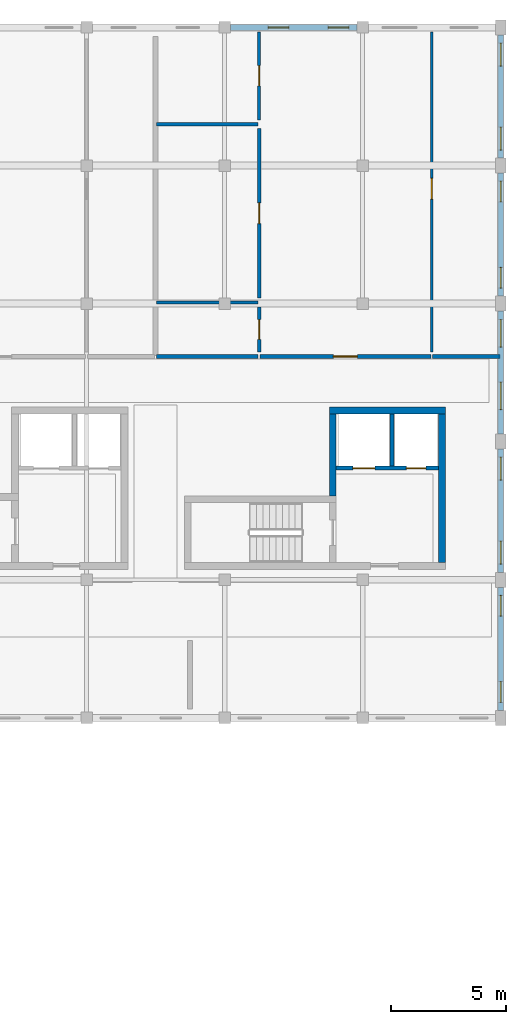
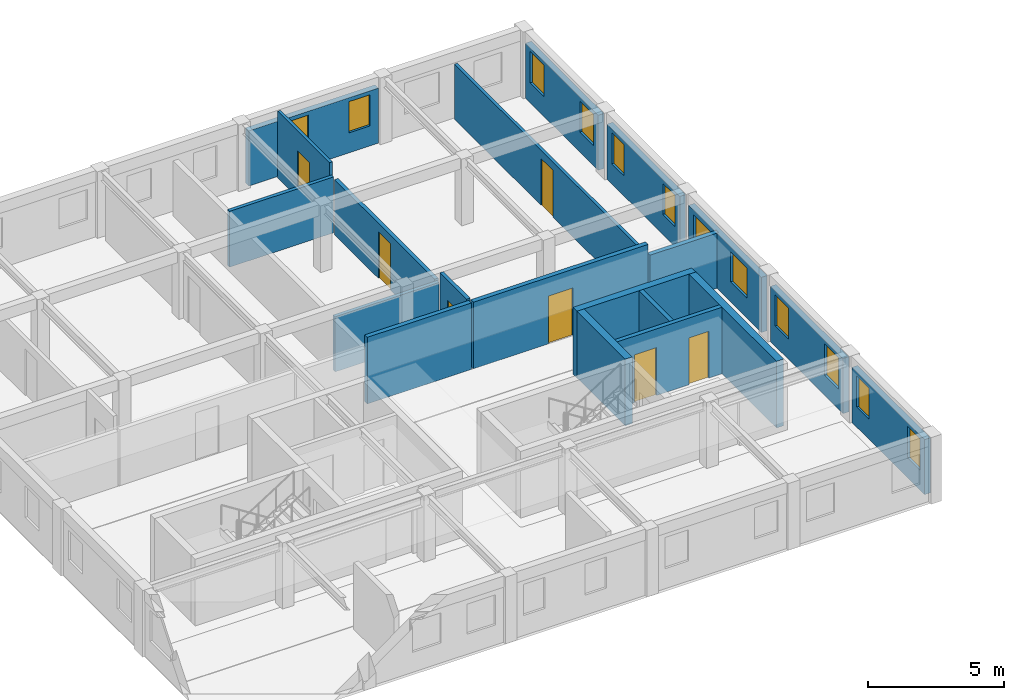
# One storey, part 9 of 13: 20 walls, 12 windows, 7 doors, 19 openings.
"""IFC4 building model written with IfcOpenShell, lengths in metres."""

from ifc_helpers import new_model, si_unit, direction, frame, frame_2d, origin, place, context, subcontext, project, spatial, rectangle, extrude, material, layer, layer_set, type_object, element, fill, save


model = new_model("IFC4")

# Units and contexts
model_context = context("Model", 3, precision=1e-05, world=origin(), true_north=direction((0.0, 1.0)))
body_context = subcontext(model_context, "Body", "Model", "MODEL_VIEW")
ifc_project = project(units=[si_unit("LENGTHUNIT", "METRE"), si_unit("AREAUNIT", "SQUARE_METRE"), si_unit("VOLUMEUNIT", "CUBIC_METRE"), si_unit("PLANEANGLEUNIT", "RADIAN"), si_unit("MASSUNIT", "GRAM", prefix="KILO"), si_unit("POWERUNIT", "WATT"), si_unit("THERMODYNAMICTEMPERATUREUNIT", "KELVIN")], contexts=[model_context])

# Site, building, storey
site_placement = place(None, origin())
site = spatial("IfcSite", under=ifc_project, at=site_placement, CompositionType="ELEMENT")
building_placement = place(site_placement, origin())
building = spatial("IfcBuilding", under=site, at=building_placement, Name="Ruvembo Vaulted Housing Court", CompositionType="ELEMENT")
storey_placement = place(building_placement, frame((0.0, 0.0, 33.300048828125)))
storey = spatial("IfcBuildingStorey", under=building, at=storey_placement, Name="L10", CompositionType="ELEMENT", Elevation=33.300048828125)

# Walls
ifc_material_1 = material(Name="Concrete C35/45", Category="concrete")
ifc_layer_1 = layer(ifc_material_1, 0.300048828125, Name="Concrete C35/45")
ifc_layer_set_1 = layer_set([ifc_layer_1], Name="Concrete C35/45")
wall_type_1 = type_object("IfcWallType", Name="WL-CORE-300", PredefinedType="SHEAR", material=ifc_layer_set_1)
wall_1_placement = place(storey_placement, frame((75.60009765625, 97.35009765625, 0.0), z_axis=(0.0, 0.0, 1.0), x_axis=(-1.0, 0.0, 0.0)))
element("IfcWall", 1, at=wall_1_placement, inside=storey, type_object=wall_type_1, Name="Core B2 L10 North Shear Wall", PredefinedType="SHEAR", context=body_context, shape_type="SweptSolid", body=[
    extrude(rectangle(XDim=5.050048828125, YDim=0.300048828125, at=frame_2d((2.52490234375, 0.0))), origin(), (0.0, 0.0, 1.0), 2.989990234375),
])
wall_2_placement = place(storey_placement, frame((75.449951171875, 90.75, 0.0), z_axis=(0.0, 0.0, 1.0), x_axis=(0.0, 1.0, 0.0)))
element("IfcWall", 2, at=wall_2_placement, inside=storey, type_object=wall_type_1, Name="Core B2 L10 East Shear Wall", PredefinedType="SHEAR", context=body_context, shape_type="SweptSolid", body=[
    extrude(rectangle(XDim=6.449951171875, YDim=0.300048828125, at=frame_2d((3.22509765625, 0.0))), origin(), (0.0, 0.0, 1.0), 2.989990234375),
])
wall_3_placement = place(storey_placement, frame((70.699951171875, 93.64990234375, 0.0), z_axis=(0.0, 0.0, 1.0), x_axis=(0.0, 1.0, 0.0)))
element("IfcWall", 3, at=wall_3_placement, inside=storey, type_object=wall_type_1, Name="Core B2 L10 Upper West Shear Wall", PredefinedType="SHEAR", context=body_context, shape_type="SweptSolid", body=[
    extrude(rectangle(XDim=3.550048828125, YDim=0.300048828125, at=frame_2d((1.77490234375, 0.0))), origin(), (0.0, 0.0, 1.0), 2.989990234375),
])
ifc_material_2 = material(Name="Concrete Blockwork 190", Category="masonry")
ifc_layer_2 = layer(ifc_material_2, 0.18994140625, Name="Concrete Blockwork 190")
ifc_layer_set_2 = layer_set([ifc_layer_2], Name="Concrete Blockwork 190")
wall_type_2 = type_object("IfcWallType", Name="WL-CORR-190", PredefinedType="SOLIDWALL", material=ifc_layer_set_2)
wall_4_placement = place(storey_placement, frame((63.0400390625, 99.699951171875, 0.0), z_axis=(0.0, 0.0, 1.0), x_axis=(1.0, 0.0, 0.0)))
element("IfcWall", 4, at=wall_4_placement, inside=storey, type_object=wall_type_2, Name="L10 Flat B-L10-N2 Corridor Wall WL-INT-L10-02255", PredefinedType="SOLIDWALL", context=body_context, shape_type="SweptSolid", body=[
    extrude(rectangle(XDim=4.419921875, YDim=0.18994140625, at=frame_2d((2.2099609375, 0.0))), origin(), (0.0, 0.0, 1.0), 2.989990234375),
])

# Wall, opening, door
wall_5_placement = place(storey_placement, frame((67.5400390625, 99.699951171875, 0.0), z_axis=(0.0, 0.0, 1.0), x_axis=(1.0, 0.0, 0.0)))
wall_5 = element("IfcWall", 5, at=wall_5_placement, inside=storey, type_object=wall_type_2, Name="L10 Flat B-L10-N2 Entrance WL-INT-L10-02256", PredefinedType="SOLIDWALL", context=body_context, shape_type="SweptSolid", body=[
    extrude(rectangle(XDim=7.419921875, YDim=0.18994140625, at=frame_2d((3.7099609375, 0.0))), origin(), (0.0, 0.0, 1.0), 2.989990234375),
])
opening_1_placement = place(wall_5_placement, frame((3.18505859375, 0.0, 0.0)))
opening_1 = element("IfcOpeningElement", 6, at=opening_1_placement, cuts=wall_5, Name="Opening FD3", PredefinedType="OPENING", context=body_context, shape_type="SweptSolid", body=[
    extrude(rectangle(XDim=1.050048828125, YDim=2.14990234375, at=frame_2d((0.52490234375, 1.074951171875))), frame((0.0, 0.10498046875, 0.0), z_axis=(0.0, -1.0, 0.0), x_axis=(1.0, 0.0, 0.0)), (0.0, 0.0, 1.0), 0.2099609375),
])
ifc_material_3 = material(Name="FSC Hardwood and Engineered Timber", Category="wood")
door_type_1 = type_object("IfcDoorType", Name="DR-FLAT-1050x2150", OperationType="NOTDEFINED", PredefinedType="DOOR", material=ifc_material_3)
door_1_placement = place(opening_1_placement, origin())
door_1 = element("IfcDoor", 7, at=door_1_placement, inside=storey, type_object=door_type_1, Name="L10 Flat B-L10-N2 Entrance Door DR-INT-L10-01250", OperationType="SINGLE_SWING_RIGHT", OverallHeight=2.14990234375, OverallWidth=1.050048828125, PredefinedType="DOOR", context=body_context, shape_type="SweptSolid", body=[
    extrude(rectangle(XDim=1.050048828125, YDim=2.14990234375, at=frame_2d((0.52490234375, 1.074951171875))), frame((0.0, 0.02490234375, 0.0), z_axis=(0.0, -1.0, 0.0), x_axis=(1.0, 0.0, 0.0)), (0.0, 0.0, 1.0), 0.050048828125),
])
fill(opening_1, door_1)

# Wall
wall_6_placement = place(storey_placement, frame((75.0400390625, 99.699951171875, 0.0), z_axis=(0.0, 0.0, 1.0), x_axis=(1.0, 0.0, 0.0)))
element("IfcWall", 8, at=wall_6_placement, inside=storey, type_object=wall_type_2, Name="L10 Flat B-L10-N2 Corridor Wall 2 WL-INT-L10-02262", PredefinedType="SOLIDWALL", context=body_context, shape_type="SweptSolid", body=[
    extrude(rectangle(XDim=2.919921875, YDim=0.18994140625, at=frame_2d((1.4599609375, 0.0))), origin(), (0.0, 0.0, 1.0), 2.471923828125),
])

# Wall, openings, windows
ifc_material_4 = material(Name="Rendered Masonry 245", Category="masonry")
ifc_layer_3 = layer(ifc_material_4, 0.2451171875, Name="Rendered Masonry 245")
ifc_layer_set_3 = layer_set([ifc_layer_3], Name="Rendered Masonry 245")
wall_type_3 = type_object("IfcWallType", Name="WL-EXT-245", PredefinedType="STANDARD", material=ifc_layer_set_3)
wall_7_placement = place(storey_placement, frame((78.0, 84.324951171875, 0.0), z_axis=(0.0, 0.0, 1.0), x_axis=(0.0, 1.0, 0.0)))
wall_7 = element("IfcWall", 9, at=wall_7_placement, inside=storey, type_object=wall_type_3, Name="Block B L10 Exterior Wall EAST #1", PredefinedType="STANDARD", context=body_context, shape_type="SweptSolid", body=[
    extrude(rectangle(XDim=5.35009765625, YDim=0.2451171875, at=frame_2d((2.675048828125, 0.0))), origin(), (0.0, 0.0, 1.0), 2.471923828125),
])
opening_2_placement = place(wall_7_placement, frame((0.35009765625, 0.0, 0.89990234375)))
opening_2 = element("IfcOpeningElement", 10, at=opening_2_placement, cuts=wall_7, Name="Opening W05", PredefinedType="OPENING", context=body_context, shape_type="SweptSolid", body=[
    extrude(rectangle(XDim=0.89990234375, YDim=1.39990234375, at=frame_2d((0.449951171875, 0.699951171875))), frame((0.0, 0.132568359375, 0.0), z_axis=(0.0, -1.0, 0.0), x_axis=(1.0, 0.0, 0.0)), (0.0, 0.0, 1.0), 0.26513671875),
])
opening_3_placement = place(wall_7_placement, frame((4.10009765625, 0.0, 0.89990234375)))
opening_3 = element("IfcOpeningElement", 11, at=opening_3_placement, cuts=wall_7, Name="Opening W05", PredefinedType="OPENING", context=body_context, shape_type="SweptSolid", body=[
    extrude(rectangle(XDim=0.89990234375, YDim=1.39990234375, at=frame_2d((0.449951171875, 0.699951171875))), frame((0.0, 0.132568359375, 0.0), z_axis=(0.0, -1.0, 0.0), x_axis=(1.0, 0.0, 0.0)), (0.0, 0.0, 1.0), 0.26513671875),
])
ifc_material_5 = material(Name="Double Solar-Control Glazing in Aluminium Frame", Category="aluminium")
window_type_1 = type_object("IfcWindowType", Name="WIN-0900x1400", PartitioningType="SINGLE_PANEL", PredefinedType="WINDOW", material=ifc_material_5)
window_1_placement = place(opening_2_placement, origin())
window_1 = element("IfcWindow", 12, at=window_1_placement, inside=storey, type_object=window_type_1, Name="Block B L10 Window #1038", OverallHeight=1.39990234375, OverallWidth=0.89990234375, PartitioningType="SINGLE_PANEL", PredefinedType="WINDOW", context=body_context, shape_type="SweptSolid", body=[
    extrude(rectangle(XDim=0.89990234375, YDim=1.39990234375, at=frame_2d((0.449951171875, 0.699951171875))), frame((0.0, 0.030029296875, 0.0), z_axis=(0.0, -1.0, 0.0), x_axis=(1.0, 0.0, 0.0)), (0.0, 0.0, 1.0), 0.06005859375),
])
fill(opening_2, window_1)
window_2_placement = place(opening_3_placement, origin())
window_2 = element("IfcWindow", 13, at=window_2_placement, inside=storey, type_object=window_type_1, Name="Block B L10 Window #1039", OverallHeight=1.39990234375, OverallWidth=0.89990234375, PartitioningType="SINGLE_PANEL", PredefinedType="WINDOW", context=body_context, shape_type="SweptSolid", body=[
    extrude(rectangle(XDim=0.89990234375, YDim=1.39990234375, at=frame_2d((0.449951171875, 0.699951171875))), frame((0.0, 0.030029296875, 0.0), z_axis=(0.0, -1.0, 0.0), x_axis=(1.0, 0.0, 0.0)), (0.0, 0.0, 1.0), 0.06005859375),
])
fill(opening_3, window_2)

wall_8_placement = place(storey_placement, frame((78.0, 90.324951171875, 0.0), z_axis=(0.0, 0.0, 1.0), x_axis=(0.0, 1.0, 0.0)))
wall_8 = element("IfcWall", 14, at=wall_8_placement, inside=storey, type_object=wall_type_3, Name="Block B L10 Exterior Wall EAST #2", PredefinedType="STANDARD", context=body_context, shape_type="SweptSolid", body=[
    extrude(rectangle(XDim=5.35009765625, YDim=0.2451171875, at=frame_2d((2.675048828125, 0.0))), origin(), (0.0, 0.0, 1.0), 2.471923828125),
])
opening_4_placement = place(wall_8_placement, frame((0.35009765625, 0.0, 0.89990234375)))
opening_4 = element("IfcOpeningElement", 15, at=opening_4_placement, cuts=wall_8, Name="Opening W08", PredefinedType="OPENING", context=body_context, shape_type="SweptSolid", body=[
    extrude(rectangle(XDim=1.0, YDim=1.39990234375, at=frame_2d((0.5, 0.699951171875))), frame((0.0, 0.132568359375, 0.0), z_axis=(0.0, -1.0, 0.0), x_axis=(1.0, 0.0, 0.0)), (0.0, 0.0, 1.0), 0.26513671875),
])
opening_5_placement = place(wall_8_placement, frame((4.0, 0.0, 0.89990234375)))
opening_5 = element("IfcOpeningElement", 16, at=opening_5_placement, cuts=wall_8, Name="Opening W08", PredefinedType="OPENING", context=body_context, shape_type="SweptSolid", body=[
    extrude(rectangle(XDim=1.0, YDim=1.39990234375, at=frame_2d((0.5, 0.699951171875))), frame((0.0, 0.132568359375, 0.0), z_axis=(0.0, -1.0, 0.0), x_axis=(1.0, 0.0, 0.0)), (0.0, 0.0, 1.0), 0.26513671875),
])
window_type_2 = type_object("IfcWindowType", Name="WIN-1000x1400", PartitioningType="SINGLE_PANEL", PredefinedType="WINDOW", material=ifc_material_5)
window_3_placement = place(opening_4_placement, origin())
window_3 = element("IfcWindow", 17, at=window_3_placement, inside=storey, type_object=window_type_2, Name="Block B L10 Window #1040", OverallHeight=1.39990234375, OverallWidth=1.0, PartitioningType="SINGLE_PANEL", PredefinedType="WINDOW", context=body_context, shape_type="SweptSolid", body=[
    extrude(rectangle(XDim=1.0, YDim=1.39990234375, at=frame_2d((0.5, 0.699951171875))), frame((0.0, 0.030029296875, 0.0), z_axis=(0.0, -1.0, 0.0), x_axis=(1.0, 0.0, 0.0)), (0.0, 0.0, 1.0), 0.06005859375),
])
fill(opening_4, window_3)
window_4_placement = place(opening_5_placement, origin())
window_4 = element("IfcWindow", 18, at=window_4_placement, inside=storey, type_object=window_type_2, Name="Block B L10 Window #1041", OverallHeight=1.39990234375, OverallWidth=1.0, PartitioningType="SINGLE_PANEL", PredefinedType="WINDOW", context=body_context, shape_type="SweptSolid", body=[
    extrude(rectangle(XDim=1.0, YDim=1.39990234375, at=frame_2d((0.5, 0.699951171875))), frame((0.0, 0.030029296875, 0.0), z_axis=(0.0, -1.0, 0.0), x_axis=(1.0, 0.0, 0.0)), (0.0, 0.0, 1.0), 0.06005859375),
])
fill(opening_5, window_4)

wall_9_placement = place(storey_placement, frame((78.0, 96.324951171875, 0.0), z_axis=(0.0, 0.0, 1.0), x_axis=(0.0, 1.0, 0.0)))
wall_9 = element("IfcWall", 19, at=wall_9_placement, inside=storey, type_object=wall_type_3, Name="Block B L10 Exterior Wall EAST #3", PredefinedType="STANDARD", context=body_context, shape_type="SweptSolid", body=[
    extrude(rectangle(XDim=5.35009765625, YDim=0.2451171875, at=frame_2d((2.675048828125, 0.0))), origin(), (0.0, 0.0, 1.0), 2.471923828125),
])
opening_6_placement = place(wall_9_placement, frame((1.0673828125, 0.0, 0.89990234375)))
opening_6 = element("IfcOpeningElement", 20, at=opening_6_placement, cuts=wall_9, Name="Opening W12", PredefinedType="OPENING", context=body_context, shape_type="SweptSolid", body=[
    extrude(rectangle(XDim=1.199951171875, YDim=1.35009765625, at=frame_2d((0.60009765625, 0.675048828125))), frame((0.0, 0.132568359375, 0.0), z_axis=(0.0, -1.0, 0.0), x_axis=(1.0, 0.0, 0.0)), (0.0, 0.0, 1.0), 0.26513671875),
])
opening_7_placement = place(wall_9_placement, frame((3.782470703125, 0.0, 0.89990234375)))
opening_7 = element("IfcOpeningElement", 21, at=opening_7_placement, cuts=wall_9, Name="Opening W12", PredefinedType="OPENING", context=body_context, shape_type="SweptSolid", body=[
    extrude(rectangle(XDim=1.199951171875, YDim=1.35009765625, at=frame_2d((0.60009765625, 0.675048828125))), frame((0.0, 0.132568359375, 0.0), z_axis=(0.0, -1.0, 0.0), x_axis=(1.0, 0.0, 0.0)), (0.0, 0.0, 1.0), 0.26513671875),
])
window_type_3 = type_object("IfcWindowType", Name="WIN-1200x1350", PartitioningType="SINGLE_PANEL", PredefinedType="WINDOW", material=ifc_material_5)
window_5_placement = place(opening_6_placement, origin())
window_5 = element("IfcWindow", 22, at=window_5_placement, inside=storey, type_object=window_type_3, Name="Block B L10 Window #1042", OverallHeight=1.35009765625, OverallWidth=1.199951171875, PartitioningType="SINGLE_PANEL", PredefinedType="WINDOW", context=body_context, shape_type="SweptSolid", body=[
    extrude(rectangle(XDim=1.199951171875, YDim=1.35009765625, at=frame_2d((0.60009765625, 0.675048828125))), frame((0.0, 0.030029296875, 0.0), z_axis=(0.0, -1.0, 0.0), x_axis=(1.0, 0.0, 0.0)), (0.0, 0.0, 1.0), 0.06005859375),
])
fill(opening_6, window_5)
window_6_placement = place(opening_7_placement, origin())
window_6 = element("IfcWindow", 23, at=window_6_placement, inside=storey, type_object=window_type_3, Name="Block B L10 Window #1043", OverallHeight=1.35009765625, OverallWidth=1.199951171875, PartitioningType="SINGLE_PANEL", PredefinedType="WINDOW", context=body_context, shape_type="SweptSolid", body=[
    extrude(rectangle(XDim=1.199951171875, YDim=1.35009765625, at=frame_2d((0.60009765625, 0.675048828125))), frame((0.0, 0.030029296875, 0.0), z_axis=(0.0, -1.0, 0.0), x_axis=(1.0, 0.0, 0.0)), (0.0, 0.0, 1.0), 0.06005859375),
])
fill(opening_7, window_6)

wall_10_placement = place(storey_placement, frame((78.0, 102.324951171875, 0.0), z_axis=(0.0, 0.0, 1.0), x_axis=(0.0, 1.0, 0.0)))
wall_10 = element("IfcWall", 24, at=wall_10_placement, inside=storey, type_object=wall_type_3, Name="Block B L10 Exterior Wall EAST #4", PredefinedType="STANDARD", context=body_context, shape_type="SweptSolid", body=[
    extrude(rectangle(XDim=5.35009765625, YDim=0.2451171875, at=frame_2d((2.675048828125, 0.0))), origin(), (0.0, 0.0, 1.0), 2.471923828125),
])
opening_8_placement = place(wall_10_placement, frame((0.35009765625, 0.0, 0.89990234375)))
opening_8 = element("IfcOpeningElement", 25, at=opening_8_placement, cuts=wall_10, Name="Opening W05", PredefinedType="OPENING", context=body_context, shape_type="SweptSolid", body=[
    extrude(rectangle(XDim=0.89990234375, YDim=1.39990234375, at=frame_2d((0.449951171875, 0.699951171875))), frame((0.0, 0.132568359375, 0.0), z_axis=(0.0, -1.0, 0.0), x_axis=(1.0, 0.0, 0.0)), (0.0, 0.0, 1.0), 0.26513671875),
])
opening_9_placement = place(wall_10_placement, frame((4.10009765625, 0.0, 0.89990234375)))
opening_9 = element("IfcOpeningElement", 26, at=opening_9_placement, cuts=wall_10, Name="Opening W05", PredefinedType="OPENING", context=body_context, shape_type="SweptSolid", body=[
    extrude(rectangle(XDim=0.89990234375, YDim=1.39990234375, at=frame_2d((0.449951171875, 0.699951171875))), frame((0.0, 0.132568359375, 0.0), z_axis=(0.0, -1.0, 0.0), x_axis=(1.0, 0.0, 0.0)), (0.0, 0.0, 1.0), 0.26513671875),
])
window_7_placement = place(opening_8_placement, origin())
window_7 = element("IfcWindow", 27, at=window_7_placement, inside=storey, type_object=window_type_1, Name="Block B L10 Window #1044", OverallHeight=1.39990234375, OverallWidth=0.89990234375, PartitioningType="SINGLE_PANEL", PredefinedType="WINDOW", context=body_context, shape_type="SweptSolid", body=[
    extrude(rectangle(XDim=0.89990234375, YDim=1.39990234375, at=frame_2d((0.449951171875, 0.699951171875))), frame((0.0, 0.030029296875, 0.0), z_axis=(0.0, -1.0, 0.0), x_axis=(1.0, 0.0, 0.0)), (0.0, 0.0, 1.0), 0.06005859375),
])
fill(opening_8, window_7)
window_8_placement = place(opening_9_placement, origin())
window_8 = element("IfcWindow", 28, at=window_8_placement, inside=storey, type_object=window_type_1, Name="Block B L10 Window #1045", OverallHeight=1.39990234375, OverallWidth=0.89990234375, PartitioningType="SINGLE_PANEL", PredefinedType="WINDOW", context=body_context, shape_type="SweptSolid", body=[
    extrude(rectangle(XDim=0.89990234375, YDim=1.39990234375, at=frame_2d((0.449951171875, 0.699951171875))), frame((0.0, 0.030029296875, 0.0), z_axis=(0.0, -1.0, 0.0), x_axis=(1.0, 0.0, 0.0)), (0.0, 0.0, 1.0), 0.06005859375),
])
fill(opening_9, window_8)

wall_11_placement = place(storey_placement, frame((78.0, 108.324951171875, 0.0), z_axis=(0.0, 0.0, 1.0), x_axis=(0.0, 1.0, 0.0)))
wall_11 = element("IfcWall", 29, at=wall_11_placement, inside=storey, type_object=wall_type_3, Name="Block B L10 Exterior Wall EAST #5", PredefinedType="STANDARD", context=body_context, shape_type="SweptSolid", body=[
    extrude(rectangle(XDim=5.35009765625, YDim=0.2451171875, at=frame_2d((2.675048828125, 0.0))), origin(), (0.0, 0.0, 1.0), 2.471923828125),
])
opening_10_placement = place(wall_11_placement, frame((0.35009765625, 0.0, 0.89990234375)))
opening_10 = element("IfcOpeningElement", 30, at=opening_10_placement, cuts=wall_11, Name="Opening W08", PredefinedType="OPENING", context=body_context, shape_type="SweptSolid", body=[
    extrude(rectangle(XDim=1.0, YDim=1.39990234375, at=frame_2d((0.5, 0.699951171875))), frame((0.0, 0.132568359375, 0.0), z_axis=(0.0, -1.0, 0.0), x_axis=(1.0, 0.0, 0.0)), (0.0, 0.0, 1.0), 0.26513671875),
])
opening_11_placement = place(wall_11_placement, frame((4.0, 0.0, 0.89990234375)))
opening_11 = element("IfcOpeningElement", 31, at=opening_11_placement, cuts=wall_11, Name="Opening W08", PredefinedType="OPENING", context=body_context, shape_type="SweptSolid", body=[
    extrude(rectangle(XDim=1.0, YDim=1.39990234375, at=frame_2d((0.5, 0.699951171875))), frame((0.0, 0.132568359375, 0.0), z_axis=(0.0, -1.0, 0.0), x_axis=(1.0, 0.0, 0.0)), (0.0, 0.0, 1.0), 0.26513671875),
])
window_9_placement = place(opening_10_placement, origin())
window_9 = element("IfcWindow", 32, at=window_9_placement, inside=storey, type_object=window_type_2, Name="Block B L10 Window #1046", OverallHeight=1.39990234375, OverallWidth=1.0, PartitioningType="SINGLE_PANEL", PredefinedType="WINDOW", context=body_context, shape_type="SweptSolid", body=[
    extrude(rectangle(XDim=1.0, YDim=1.39990234375, at=frame_2d((0.5, 0.699951171875))), frame((0.0, 0.030029296875, 0.0), z_axis=(0.0, -1.0, 0.0), x_axis=(1.0, 0.0, 0.0)), (0.0, 0.0, 1.0), 0.06005859375),
])
fill(opening_10, window_9)
window_10_placement = place(opening_11_placement, origin())
window_10 = element("IfcWindow", 33, at=window_10_placement, inside=storey, type_object=window_type_2, Name="Block B L10 Window #1047", OverallHeight=1.39990234375, OverallWidth=1.0, PartitioningType="SINGLE_PANEL", PredefinedType="WINDOW", context=body_context, shape_type="SweptSolid", body=[
    extrude(rectangle(XDim=1.0, YDim=1.39990234375, at=frame_2d((0.5, 0.699951171875))), frame((0.0, 0.030029296875, 0.0), z_axis=(0.0, -1.0, 0.0), x_axis=(1.0, 0.0, 0.0)), (0.0, 0.0, 1.0), 0.06005859375),
])
fill(opening_11, window_10)

wall_12_placement = place(storey_placement, frame((71.75, 114.0, 0.0), z_axis=(0.0, 0.0, 1.0), x_axis=(-1.0, 0.0, 0.0)))
wall_12 = element("IfcWall", 34, at=wall_12_placement, inside=storey, type_object=wall_type_3, Name="Block B L10 Exterior Wall STREET #2", PredefinedType="STANDARD", context=body_context, shape_type="SweptSolid", body=[
    extrude(rectangle(XDim=5.5, YDim=0.2451171875, at=frame_2d((2.75, 0.0))), origin(), (0.0, 0.0, 1.0), 2.471923828125),
])
opening_12_placement = place(wall_12_placement, frame((0.35009765625, 0.0, 0.89990234375)))
opening_12 = element("IfcOpeningElement", 35, at=opening_12_placement, cuts=wall_12, Name="Opening W05", PredefinedType="OPENING", context=body_context, shape_type="SweptSolid", body=[
    extrude(rectangle(XDim=0.89990234375, YDim=1.39990234375, at=frame_2d((0.449951171875, 0.699951171875))), frame((0.0, 0.132568359375, 0.0), z_axis=(0.0, -1.0, 0.0), x_axis=(1.0, 0.0, 0.0)), (0.0, 0.0, 1.0), 0.26513671875),
])
opening_13_placement = place(wall_12_placement, frame((2.9599609375, 0.0, 0.89990234375)))
opening_13 = element("IfcOpeningElement", 36, at=opening_13_placement, cuts=wall_12, Name="Opening W05", PredefinedType="OPENING", context=body_context, shape_type="SweptSolid", body=[
    extrude(rectangle(XDim=0.89990234375, YDim=1.39990234375, at=frame_2d((0.449951171875, 0.699951171875))), frame((0.0, 0.132568359375, 0.0), z_axis=(0.0, -1.0, 0.0), x_axis=(1.0, 0.0, 0.0)), (0.0, 0.0, 1.0), 0.26513671875),
])
window_11_placement = place(opening_12_placement, origin())
window_11 = element("IfcWindow", 37, at=window_11_placement, inside=storey, type_object=window_type_1, Name="Block B L10 Window #1050", OverallHeight=1.39990234375, OverallWidth=0.89990234375, PartitioningType="SINGLE_PANEL", PredefinedType="WINDOW", context=body_context, shape_type="SweptSolid", body=[
    extrude(rectangle(XDim=0.89990234375, YDim=1.39990234375, at=frame_2d((0.449951171875, 0.699951171875))), frame((0.0, 0.030029296875, 0.0), z_axis=(0.0, -1.0, 0.0), x_axis=(1.0, 0.0, 0.0)), (0.0, 0.0, 1.0), 0.06005859375),
])
fill(opening_12, window_11)
window_12_placement = place(opening_13_placement, origin())
window_12 = element("IfcWindow", 38, at=window_12_placement, inside=storey, type_object=window_type_1, Name="Block B L10 Window #1051", OverallHeight=1.39990234375, OverallWidth=0.89990234375, PartitioningType="SINGLE_PANEL", PredefinedType="WINDOW", context=body_context, shape_type="SweptSolid", body=[
    extrude(rectangle(XDim=0.89990234375, YDim=1.39990234375, at=frame_2d((0.449951171875, 0.699951171875))), frame((0.0, 0.030029296875, 0.0), z_axis=(0.0, -1.0, 0.0), x_axis=(1.0, 0.0, 0.0)), (0.0, 0.0, 1.0), 0.06005859375),
])
fill(opening_13, window_12)

# Wall, opening, door
ifc_material_6 = material(Name="Plasterboard Stud Partition 125", Category="gypsum")
ifc_layer_4 = layer(ifc_material_6, 0.125, Name="Plasterboard Stud Partition 125")
ifc_layer_set_4 = layer_set([ifc_layer_4], Name="Plasterboard Stud Partition 125")
wall_type_4 = type_object("IfcWallType", Name="WL-PART-125", PredefinedType="PARTITIONING", material=ifc_layer_set_4)
wall_13_placement = place(storey_placement, frame((67.5, 109.989990234375, 0.0), z_axis=(0.0, 0.0, 1.0), x_axis=(0.0, 1.0, 0.0)))
wall_13 = element("IfcWall", 39, at=wall_13_placement, inside=storey, type_object=wall_type_4, Name="L10 Flat B-L10-N2 Bedroom 1 WL-INT-L10-02257", PredefinedType="PARTITIONING", context=body_context, shape_type="SweptSolid", body=[
    extrude(rectangle(XDim=3.820068359375, YDim=0.125, at=frame_2d((1.91015625, 0.0))), origin(), (0.0, 0.0, 1.0), 2.989990234375),
])
opening_14_placement = place(wall_13_placement, frame((1.469970703125, 0.0, 0.0)))
opening_14 = element("IfcOpeningElement", 40, at=opening_14_placement, cuts=wall_13, Name="Opening ID3", PredefinedType="OPENING", context=body_context, shape_type="SweptSolid", body=[
    extrude(rectangle(XDim=0.8798828125, YDim=2.10009765625, at=frame_2d((0.43994140625, 1.050048828125))), frame((0.0, 0.072509765625, 0.0), z_axis=(0.0, -1.0, 0.0), x_axis=(1.0, 0.0, 0.0)), (0.0, 0.0, 1.0), 0.14501953125),
])
door_type_2 = type_object("IfcDoorType", Name="DR-ROOM-0880x2100", OperationType="NOTDEFINED", PredefinedType="DOOR", material=ifc_material_3)
door_2_placement = place(opening_14_placement, origin())
door_2 = element("IfcDoor", 41, at=door_2_placement, inside=storey, type_object=door_type_2, Name="L10 Flat B-L10-N2 Bedroom 1 Door DR-INT-L10-01251", OperationType="SINGLE_SWING_LEFT", OverallHeight=2.10009765625, OverallWidth=0.8798828125, PredefinedType="DOOR", context=body_context, shape_type="SweptSolid", body=[
    extrude(rectangle(XDim=0.8798828125, YDim=2.10009765625, at=frame_2d((0.43994140625, 1.050048828125))), frame((0.0, 0.02490234375, 0.0), z_axis=(0.0, -1.0, 0.0), x_axis=(1.0, 0.0, 0.0)), (0.0, 0.0, 1.0), 0.050048828125),
])
fill(opening_14, door_2)

wall_14_placement = place(storey_placement, frame((75.0, 99.889892578125, 0.0), z_axis=(0.0, 0.0, 1.0), x_axis=(0.0, 1.0, 0.0)))
wall_14 = element("IfcWall", 42, at=wall_14_placement, inside=storey, type_object=wall_type_4, Name="L10 Flat B-L10-N2 Bedroom 2 WL-INT-L10-02263", PredefinedType="PARTITIONING", context=body_context, shape_type="SweptSolid", body=[
    extrude(rectangle(XDim=13.920166015625, YDim=0.125, at=frame_2d((6.9599609375, 0.0))), origin(), (0.0, 0.0, 1.0), 2.471923828125),
])
opening_15_placement = place(wall_14_placement, frame((6.64990234375, 0.0, 0.0)))
opening_15 = element("IfcOpeningElement", 43, at=opening_15_placement, cuts=wall_14, Name="Opening ID1", PredefinedType="OPENING", context=body_context, shape_type="SweptSolid", body=[
    extrude(rectangle(XDim=0.89990234375, YDim=2.10009765625, at=frame_2d((0.449951171875, 1.050048828125))), frame((0.0, 0.072509765625, 0.0), z_axis=(0.0, -1.0, 0.0), x_axis=(1.0, 0.0, 0.0)), (0.0, 0.0, 1.0), 0.14501953125),
])
door_type_3 = type_object("IfcDoorType", Name="DR-ROOM-0900x2100", OperationType="NOTDEFINED", PredefinedType="DOOR", material=ifc_material_3)
door_3_placement = place(opening_15_placement, origin())
door_3 = element("IfcDoor", 44, at=door_3_placement, inside=storey, type_object=door_type_3, Name="L10 Flat B-L10-N2 Bedroom 2 Door DR-INT-L10-01254", OperationType="SINGLE_SWING_RIGHT", OverallHeight=2.10009765625, OverallWidth=0.89990234375, PredefinedType="DOOR", context=body_context, shape_type="SweptSolid", body=[
    extrude(rectangle(XDim=0.89990234375, YDim=2.10009765625, at=frame_2d((0.449951171875, 1.050048828125))), frame((0.0, 0.02490234375, 0.0), z_axis=(0.0, -1.0, 0.0), x_axis=(1.0, 0.0, 0.0)), (0.0, 0.0, 1.0), 0.050048828125),
])
fill(opening_15, door_3)

ifc_material_7 = material(Name="Moisture-Resistant Wet Partition 150", Category="gypsum")
ifc_layer_5 = layer(ifc_material_7, 0.14990234375, Name="Moisture-Resistant Wet Partition 150")
ifc_layer_set_5 = layer_set([ifc_layer_5], Name="Moisture-Resistant Wet Partition 150")
wall_type_5 = type_object("IfcWallType", Name="WL-PART-150", PredefinedType="PARTITIONING", material=ifc_layer_set_5)
wall_15_placement = place(storey_placement, frame((67.5, 99.889892578125, 0.0), z_axis=(0.0, 0.0, 1.0), x_axis=(0.0, 1.0, 0.0)))
wall_15 = element("IfcWall", 45, at=wall_15_placement, inside=storey, type_object=wall_type_5, Name="L10 Flat B-L10-N2 Bathroom WL-INT-L10-02259", PredefinedType="PARTITIONING", context=body_context, shape_type="SweptSolid", body=[
    extrude(rectangle(XDim=1.97021484375, YDim=0.14990234375, at=frame_2d((0.985107421875, 0.0))), origin(), (0.0, 0.0, 1.0), 2.989990234375),
])
opening_16_placement = place(wall_15_placement, frame((0.56005859375, 0.0, 0.0)))
opening_16 = element("IfcOpeningElement", 46, at=opening_16_placement, cuts=wall_15, Name="Opening ID2", PredefinedType="OPENING", context=body_context, shape_type="SweptSolid", body=[
    extrude(rectangle(XDim=0.85009765625, YDim=2.10009765625, at=frame_2d((0.425048828125, 1.050048828125))), frame((0.0, 0.0849609375, 0.0), z_axis=(0.0, -1.0, 0.0), x_axis=(1.0, 0.0, 0.0)), (0.0, 0.0, 1.0), 0.169921875),
])
door_type_4 = type_object("IfcDoorType", Name="DR-WET-0850x2100", OperationType="NOTDEFINED", PredefinedType="DOOR", material=ifc_material_3)
door_4_placement = place(opening_16_placement, origin())
door_4 = element("IfcDoor", 47, at=door_4_placement, inside=storey, type_object=door_type_4, Name="L10 Flat B-L10-N2 Bathroom Door DR-INT-L10-01253", OperationType="SINGLE_SWING_LEFT", OverallHeight=2.10009765625, OverallWidth=0.85009765625, PredefinedType="DOOR", context=body_context, shape_type="SweptSolid", body=[
    extrude(rectangle(XDim=0.85009765625, YDim=2.10009765625, at=frame_2d((0.425048828125, 1.050048828125))), frame((0.0, 0.02490234375, 0.0), z_axis=(0.0, -1.0, 0.0), x_axis=(1.0, 0.0, 0.0)), (0.0, 0.0, 1.0), 0.050048828125),
])
fill(opening_16, door_4)

# Walls
wall_16_placement = place(storey_placement, frame((63.0400390625, 109.800048828125, 0.0), z_axis=(0.0, 0.0, 1.0), x_axis=(1.0, 0.0, 0.0)))
element("IfcWall", 48, at=wall_16_placement, inside=storey, type_object=wall_type_5, Name="L10 Flat B-L10-N2 Wet Wall 1 WL-INT-L10-02260", PredefinedType="PARTITIONING", context=body_context, shape_type="SweptSolid", body=[
    extrude(rectangle(XDim=4.419921875, YDim=0.14990234375, at=frame_2d((2.2099609375, 0.0))), origin(), (0.0, 0.0, 1.0), 2.508056640625),
])
wall_17_placement = place(storey_placement, frame((63.0400390625, 102.050048828125, 0.0), z_axis=(0.0, 0.0, 1.0), x_axis=(1.0, 0.0, 0.0)))
element("IfcWall", 49, at=wall_17_placement, inside=storey, type_object=wall_type_5, Name="L10 Flat B-L10-N2 Wet Wall 2 WL-INT-L10-02261", PredefinedType="PARTITIONING", context=body_context, shape_type="SweptSolid", body=[
    extrude(rectangle(XDim=4.419921875, YDim=0.14990234375, at=frame_2d((2.2099609375, 0.0))), origin(), (0.0, 0.0, 1.0), 2.471923828125),
])

# Wall, opening, door
ifc_material_8 = material(Name="Acoustic Service Chase Wall 160", Category="gypsum")
ifc_layer_6 = layer(ifc_material_8, 0.159912109375, Name="Acoustic Service Chase Wall 160")
ifc_layer_set_6 = layer_set([ifc_layer_6], Name="Acoustic Service Chase Wall 160")
wall_type_6 = type_object("IfcWallType", Name="WL-PLUMB-160", PredefinedType="PLUMBINGWALL", material=ifc_layer_set_6)
wall_18_placement = place(storey_placement, frame((67.5, 102.239990234375, 0.0), z_axis=(0.0, 0.0, 1.0), x_axis=(0.0, 1.0, 0.0)))
wall_18 = element("IfcWall", 50, at=wall_18_placement, inside=storey, type_object=wall_type_6, Name="L10 Flat B-L10-N2 Kitchen WL-INT-L10-02258", PredefinedType="PLUMBINGWALL", context=body_context, shape_type="SweptSolid", body=[
    extrude(rectangle(XDim=7.3701171875, YDim=0.159912109375, at=frame_2d((3.68505859375, 0.0))), origin(), (0.0, 0.0, 1.0), 2.471923828125),
])
opening_17_placement = place(wall_18_placement, frame((3.235107421875, 0.0, 0.0)))
opening_17 = element("IfcOpeningElement", 51, at=opening_17_placement, cuts=wall_18, Name="Opening ID1", PredefinedType="OPENING", context=body_context, shape_type="SweptSolid", body=[
    extrude(rectangle(XDim=0.89990234375, YDim=2.10009765625, at=frame_2d((0.449951171875, 1.050048828125))), frame((0.0, 0.08984375, 0.0), z_axis=(0.0, -1.0, 0.0), x_axis=(1.0, 0.0, 0.0)), (0.0, 0.0, 1.0), 0.179931640625),
])
door_5_placement = place(opening_17_placement, origin())
door_5 = element("IfcDoor", 52, at=door_5_placement, inside=storey, type_object=door_type_3, Name="L10 Flat B-L10-N2 Kitchen Door DR-INT-L10-01252", OperationType="SINGLE_SWING_RIGHT", OverallHeight=2.10009765625, OverallWidth=0.89990234375, PredefinedType="DOOR", context=body_context, shape_type="SweptSolid", body=[
    extrude(rectangle(XDim=0.89990234375, YDim=2.10009765625, at=frame_2d((0.449951171875, 1.050048828125))), frame((0.0, 0.02490234375, 0.0), z_axis=(0.0, -1.0, 0.0), x_axis=(1.0, 0.0, 0.0)), (0.0, 0.0, 1.0), 0.050048828125),
])
fill(opening_17, door_5)

# Wall, openings, doors
ifc_material_9 = material(Name="Fire-Rated Masonry Shaft 180", Category="masonry")
ifc_layer_7 = layer(ifc_material_9, 0.179931640625, Name="Fire-Rated Masonry Shaft 180")
ifc_layer_set_7 = layer_set([ifc_layer_7], Name="Fire-Rated Masonry Shaft 180")
wall_type_7 = type_object("IfcWallType", Name="WL-SHAFT-180", PredefinedType="SOLIDWALL", material=ifc_layer_set_7)
wall_19_placement = place(storey_placement, frame((70.85009765625, 94.85009765625, 0.0), z_axis=(0.0, 0.0, 1.0), x_axis=(1.0, 0.0, 0.0)))
wall_19 = element("IfcWall", 53, at=wall_19_placement, inside=storey, type_object=wall_type_7, Name="Core B2 L10 Lift and Riser Front Wall", PredefinedType="SOLIDWALL", context=body_context, shape_type="SweptSolid", body=[
    extrude(rectangle(XDim=4.449951171875, YDim=0.179931640625, at=frame_2d((2.22509765625, 0.0))), origin(), (0.0, 0.0, 1.0), 2.989990234375),
])
opening_18_placement = place(wall_19_placement, frame((0.72509765625, 0.0, 0.0)))
opening_18 = element("IfcOpeningElement", 54, at=opening_18_placement, cuts=wall_19, Name="Opening LD-LP-B2-L10", PredefinedType="OPENING", context=body_context, shape_type="SweptSolid", body=[
    extrude(rectangle(XDim=0.949951171875, YDim=2.14990234375, at=frame_2d((0.47509765625, 1.074951171875))), frame((0.0, 0.099853515625, 0.0), z_axis=(0.0, -1.0, 0.0), x_axis=(1.0, 0.0, 0.0)), (0.0, 0.0, 1.0), 0.199951171875),
])
opening_19_placement = place(wall_19_placement, frame((3.050048828125, 0.0, 0.0)))
opening_19 = element("IfcOpeningElement", 55, at=opening_19_placement, cuts=wall_19, Name="Opening RD1", PredefinedType="OPENING", context=body_context, shape_type="SweptSolid", body=[
    extrude(rectangle(XDim=0.85009765625, YDim=2.10009765625, at=frame_2d((0.425048828125, 1.050048828125))), frame((0.0, 0.099853515625, 0.0), z_axis=(0.0, -1.0, 0.0), x_axis=(1.0, 0.0, 0.0)), (0.0, 0.0, 1.0), 0.199951171875),
])
ifc_material_10 = material(Name="Brushed Stainless Steel 304", Category="steel")
door_type_5 = type_object("IfcDoorType", Name="DR-LIFT-0950x2150", OperationType="NOTDEFINED", PredefinedType="DOOR", material=ifc_material_10)
door_6_placement = place(opening_18_placement, origin())
door_6 = element("IfcDoor", 56, at=door_6_placement, inside=storey, type_object=door_type_5, Name="Lift LP-B2 L10 Sliding Landing Door", OperationType="SLIDING_TO_LEFT", OverallHeight=2.14990234375, OverallWidth=0.949951171875, PredefinedType="DOOR", context=body_context, shape_type="SweptSolid", body=[
    extrude(rectangle(XDim=0.949951171875, YDim=2.14990234375, at=frame_2d((0.47509765625, 1.074951171875))), frame((0.0, 0.02490234375, 0.0), z_axis=(0.0, -1.0, 0.0), x_axis=(1.0, 0.0, 0.0)), (0.0, 0.0, 1.0), 0.050048828125),
])
fill(opening_18, door_6)
ifc_material_11 = material(Name="Galvanised Painted Steel", Category="steel")
door_type_6 = type_object("IfcDoorType", Name="DR-RISER-0850x2100", OperationType="NOTDEFINED", PredefinedType="DOOR", material=ifc_material_11)
door_7_placement = place(opening_19_placement, frame((0.85009765625, 0.0, 0.0), z_axis=(0.0, 0.0, 1.0), x_axis=(-1.0, 0.0, 0.0)))
door_7 = element("IfcDoor", 57, at=door_7_placement, inside=storey, type_object=door_type_6, Name="Core B2 L10 Service Riser Door", OperationType="SINGLE_SWING_LEFT", OverallHeight=2.10009765625, OverallWidth=0.85009765625, PredefinedType="DOOR", context=body_context, shape_type="SweptSolid", body=[
    extrude(rectangle(XDim=0.85009765625, YDim=2.10009765625, at=frame_2d((0.425048828125, 1.050048828125))), frame((0.0, 0.02490234375, 0.0), z_axis=(0.0, -1.0, 0.0), x_axis=(1.0, 0.0, 0.0)), (0.0, 0.0, 1.0), 0.050048828125),
])
fill(opening_19, door_7)

# Wall
wall_20_placement = place(storey_placement, frame((73.27001953125, 94.93994140625, 0.0), z_axis=(0.0, 0.0, 1.0), x_axis=(0.0, 1.0, 0.0)))
element("IfcWall", 58, at=wall_20_placement, inside=storey, type_object=wall_type_7, Name="Core B2 L10 Shaft-Riser Divider Wall", PredefinedType="SOLIDWALL", context=body_context, shape_type="SweptSolid", body=[
    extrude(rectangle(XDim=2.260009765625, YDim=0.179931640625, at=frame_2d((1.1298828125, 0.0))), origin(), (0.0, 0.0, 1.0), 2.989990234375),
])

save(model, "model.ifc")
